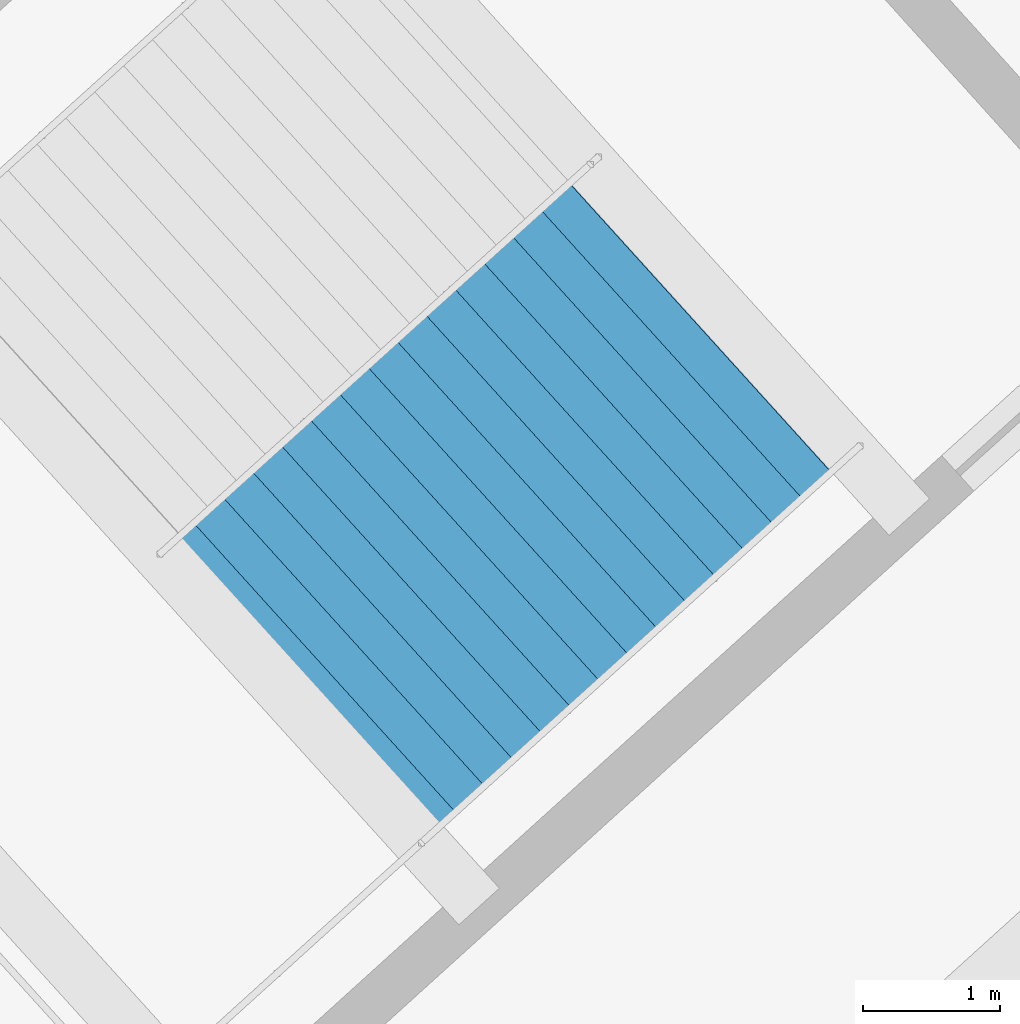
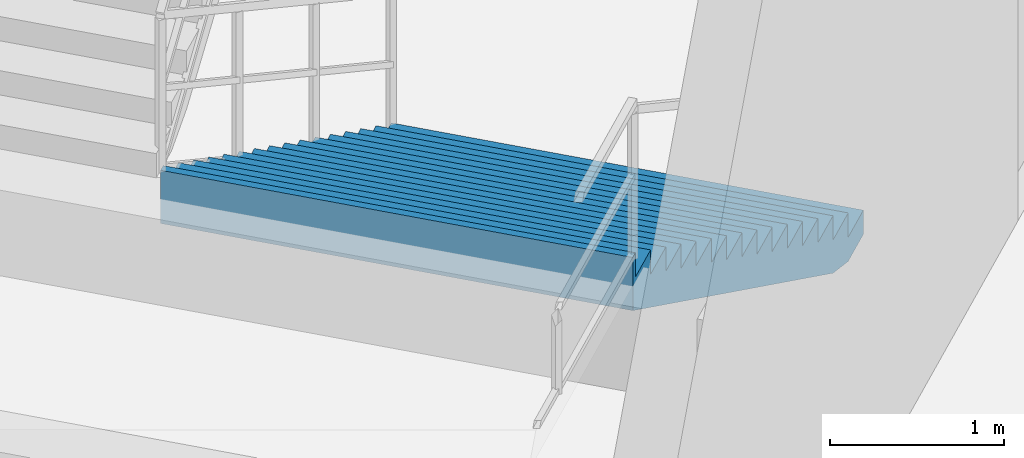
# One storey, part 36 of 49: 1 stair flight, 1 element without a shape of its own.
"""IFC4 building model written with IfcOpenShell, lengths in metres."""

from ifc_helpers import new_model, si_unit, direction, frame, origin, place, context, subcontext, project, spatial, polygons, material, type_object, element, aggregate, save


model = new_model("IFC4")

# Units and contexts
model_context = context("Model", 3, precision=1e-05, world=origin(), true_north=direction((0.0, 1.0)))
body_context = subcontext(model_context, "Body", "Model", "MODEL_VIEW")
ifc_project = project(units=[si_unit("LENGTHUNIT", "METRE"), si_unit("AREAUNIT", "SQUARE_METRE"), si_unit("VOLUMEUNIT", "CUBIC_METRE"), si_unit("PLANEANGLEUNIT", "RADIAN"), si_unit("MASSUNIT", "GRAM", prefix="KILO")], contexts=[model_context])

# Site, building, storey
site_placement = place(None, origin())
site = spatial("IfcSite", under=ifc_project, at=site_placement, CompositionType="ELEMENT")
building_placement = place(site_placement, origin())
building = spatial("IfcBuilding", under=site, at=building_placement, Name="Kazemori Nagisa Stadium", CompositionType="ELEMENT")
storey_placement = place(building_placement, frame((0.0, 0.0, -5.43994140625)))
storey = spatial("IfcBuildingStorey", under=building, at=storey_placement, Name="B1", CompositionType="ELEMENT", Elevation=-5.43994140625)

# Stair, stair flight
ifc_material = material(Name="Concrete C36/45 (Fc36)", Category="concrete")
stair_type = type_object("IfcStairType", Name="Stair_CORE_32", PredefinedType="TWO_STRAIGHT_RUN_STAIR", material=ifc_material)
stair_placement = place(storey_placement, origin())
stair = element("IfcStair", 1, at=stair_placement, inside=storey, type_object=stair_type, Name="Exit stair ST02 B1", PredefinedType="TWO_STRAIGHT_RUN_STAIR")
stair_flight_type = type_object("IfcStairFlightType", Name="Flight_CORE_16", PredefinedType="STRAIGHT", material=ifc_material)
stair_flight_placement = place(storey_placement, frame((63.22412109375, 164.589599609375, 0.0), z_axis=(0.0, 0.0, 1.0), x_axis=(-0.741328742395, -0.671142083093, 0.0)))
stair_flight = element("IfcStairFlight", 2, at=stair_flight_placement, type_object=stair_flight_type, Name="Exit stair ST02 B1 flight 1", NumberOfRisers=16, NumberOfTreads=15, PredefinedType="STRAIGHT", RiserHeight=0.17, TreadLength=0.285, context=body_context, shape_type="Tessellation", body=[
    polygons([(0.0, -1.425048828125, 0.0), (0.0, -1.425048828125, 0.169921875), (0.284912109375, -1.425048828125, 0.169921875), (0.284912109375, -1.425048828125, 0.340087890625), (0.570068359375, -1.425048828125, 0.340087890625), (0.570068359375, -1.425048828125, 0.510009765625), (0.85498046875, -1.425048828125, 0.510009765625), (0.85498046875, -1.425048828125, 0.679931640625), (1.139892578125, -1.425048828125, 0.679931640625), (1.139892578125, -1.425048828125, 0.85009765625), (1.425048828125, -1.425048828125, 0.85009765625), (1.425048828125, -1.425048828125, 1.02001953125), (1.7099609375, -1.425048828125, 1.02001953125), (1.7099609375, -1.425048828125, 1.18994140625), (1.9951171875, -1.425048828125, 1.18994140625), (1.9951171875, -1.425048828125, 1.360107421875), (2.280029296875, -1.425048828125, 1.360107421875), (2.280029296875, -1.425048828125, 1.530029296875), (2.56494140625, -1.425048828125, 1.530029296875), (2.56494140625, -1.425048828125, 1.699951171875), (2.85009765625, -1.425048828125, 1.699951171875), (2.85009765625, -1.425048828125, 1.8701171875), (3.135009765625, -1.425048828125, 1.8701171875), (3.135009765625, -1.425048828125, 2.0400390625), (3.419921875, -1.425048828125, 2.0400390625), (3.419921875, -1.425048828125, 2.2099609375), (3.705078125, -1.425048828125, 2.2099609375), (3.705078125, -1.425048828125, 2.3798828125), (3.989990234375, -1.425048828125, 2.3798828125), (3.989990234375, -1.425048828125, 2.550048828125), (4.27490234375, -1.425048828125, 2.550048828125), (4.27490234375, -1.425048828125, 2.719970703125), (4.324951171875, -1.425048828125, 2.719970703125), (4.324951171875, -1.425048828125, 2.346923828125), (4.27490234375, -1.425048828125, 2.317138671875), (3.989990234375, -1.425048828125, 2.147216796875), (3.705078125, -1.425048828125, 1.977294921875), (3.419921875, -1.425048828125, 1.80712890625), (3.135009765625, -1.425048828125, 1.63720703125), (2.85009765625, -1.425048828125, 1.46728515625), (2.56494140625, -1.425048828125, 1.297119140625), (2.280029296875, -1.425048828125, 1.127197265625), (1.9951171875, -1.425048828125, 0.957275390625), (1.7099609375, -1.425048828125, 0.787109375), (1.425048828125, -1.425048828125, 0.6171875), (1.139892578125, -1.425048828125, 0.447265625), (0.85498046875, -1.425048828125, 0.277099609375), (0.570068359375, -1.425048828125, 0.107177734375), (0.284912109375, -1.425048828125, 0.0), (0.0, -0.08544921875, 0.0), (0.0, -0.08544921875, 0.169921875), (0.284912109375, -0.08544921875, 0.169921875), (0.284912109375, -0.08544921875, 0.340087890625), (0.570068359375, -0.08544921875, 0.340087890625), (0.570068359375, -0.08544921875, 0.510009765625), (0.85498046875, -0.08544921875, 0.510009765625), (0.85498046875, -0.08544921875, 0.679931640625), (1.139892578125, -0.08544921875, 0.679931640625), (1.139892578125, -0.08544921875, 0.85009765625), (1.425048828125, -0.08544921875, 0.85009765625), (1.425048828125, -0.08544921875, 1.02001953125), (1.7099609375, -0.08544921875, 1.02001953125), (1.7099609375, -0.08544921875, 1.18994140625), (1.9951171875, -0.08544921875, 1.18994140625), (1.9951171875, -0.08544921875, 1.360107421875), (2.280029296875, -0.08544921875, 1.360107421875), (2.280029296875, -0.08544921875, 1.530029296875), (2.56494140625, -0.08544921875, 1.530029296875), (2.56494140625, -0.08544921875, 1.699951171875), (2.85009765625, -0.08544921875, 1.699951171875), (2.85009765625, -0.08544921875, 1.8701171875), (3.135009765625, -0.08544921875, 1.8701171875), (3.135009765625, -0.08544921875, 2.0400390625), (3.419921875, -0.08544921875, 2.0400390625), (3.419921875, -0.08544921875, 2.2099609375), (3.705078125, -0.08544921875, 2.2099609375), (3.705078125, -0.08544921875, 2.3798828125), (3.989990234375, -0.08544921875, 2.3798828125), (3.989990234375, -0.08544921875, 2.550048828125), (4.27490234375, -0.08544921875, 2.550048828125), (4.27490234375, -0.08544921875, 2.719970703125), (4.324951171875, -0.08544921875, 2.719970703125), (4.324951171875, -0.08544921875, 2.346923828125), (4.27490234375, -0.08544921875, 2.317138671875), (3.989990234375, -0.08544921875, 2.147216796875), (3.705078125, -0.08544921875, 1.977294921875), (3.419921875, -0.08544921875, 1.80712890625), (3.135009765625, -0.08544921875, 1.63720703125), (2.85009765625, -0.08544921875, 1.46728515625), (2.56494140625, -0.08544921875, 1.297119140625), (2.280029296875, -0.08544921875, 1.127197265625), (1.9951171875, -0.08544921875, 0.957275390625), (1.7099609375, -0.08544921875, 0.787109375), (1.425048828125, -0.08544921875, 0.6171875), (1.139892578125, -0.08544921875, 0.447265625), (0.85498046875, -0.08544921875, 0.277099609375), (0.570068359375, -0.08544921875, 0.107177734375), (0.284912109375, -0.08544921875, 0.0), (0.0, 0.0, 0.0), (0.0, 0.0, 0.169921875), (0.284912109375, 0.0, 0.169921875), (0.284912109375, 0.0, 0.340087890625), (0.570068359375, 0.0, 0.340087890625), (0.570068359375, 0.0, 0.510009765625), (0.85498046875, 0.0, 0.510009765625), (0.85498046875, 0.0, 0.679931640625), (1.139892578125, 0.0, 0.679931640625), (1.139892578125, 0.0, 0.85009765625), (1.425048828125, 0.0, 0.85009765625), (1.425048828125, 0.0, 1.02001953125), (1.7099609375, 0.0, 1.02001953125), (1.7099609375, 0.0, 1.18994140625), (1.9951171875, 0.0, 1.18994140625), (1.9951171875, 0.0, 1.360107421875), (2.280029296875, 0.0, 1.360107421875), (2.280029296875, 0.0, 1.530029296875), (2.56494140625, 0.0, 1.530029296875), (2.56494140625, 0.0, 1.699951171875), (2.85009765625, 0.0, 1.699951171875), (2.85009765625, 0.0, 1.8701171875), (3.135009765625, 0.0, 1.8701171875), (3.135009765625, 0.0, 2.0400390625), (3.419921875, 0.0, 2.0400390625), (3.419921875, 0.0, 2.2099609375), (3.705078125, 0.0, 2.2099609375), (3.705078125, 0.0, 2.3798828125), (3.989990234375, 0.0, 2.3798828125), (3.989990234375, 0.0, 2.550048828125), (4.27490234375, 0.0, 2.550048828125), (4.27490234375, 0.0, 2.719970703125), (4.324951171875, 0.0, 2.719970703125), (4.324951171875, 0.0, 2.346923828125), (4.27490234375, 0.0, 2.317138671875), (3.989990234375, 0.0, 2.147216796875), (3.705078125, 0.0, 1.977294921875), (3.419921875, 0.0, 1.80712890625), (3.135009765625, 0.0, 1.63720703125), (2.85009765625, 0.0, 1.46728515625), (2.56494140625, 0.0, 1.297119140625), (2.280029296875, 0.0, 1.127197265625), (1.9951171875, 0.0, 0.957275390625), (1.7099609375, 0.0, 0.787109375), (1.425048828125, 0.0, 0.6171875), (1.139892578125, 0.0, 0.447265625), (0.85498046875, 0.0, 0.277099609375), (0.570068359375, 0.0, 0.107177734375), (0.284912109375, 0.0, 0.0), (0.0, 0.08544921875, 0.0), (0.0, 0.08544921875, 0.169921875), (0.284912109375, 0.08544921875, 0.169921875), (0.284912109375, 0.08544921875, 0.340087890625), (0.570068359375, 0.08544921875, 0.340087890625), (0.570068359375, 0.08544921875, 0.510009765625), (0.85498046875, 0.08544921875, 0.510009765625), (0.85498046875, 0.08544921875, 0.679931640625), (1.139892578125, 0.08544921875, 0.679931640625), (1.139892578125, 0.08544921875, 0.85009765625), (1.425048828125, 0.08544921875, 0.85009765625), (1.425048828125, 0.08544921875, 1.02001953125), (1.7099609375, 0.08544921875, 1.02001953125), (1.7099609375, 0.08544921875, 1.18994140625), (1.9951171875, 0.08544921875, 1.18994140625), (1.9951171875, 0.08544921875, 1.360107421875), (2.280029296875, 0.08544921875, 1.360107421875), (2.280029296875, 0.08544921875, 1.530029296875), (2.56494140625, 0.08544921875, 1.530029296875), (2.56494140625, 0.08544921875, 1.699951171875), (2.85009765625, 0.08544921875, 1.699951171875), (2.85009765625, 0.08544921875, 1.8701171875), (3.135009765625, 0.08544921875, 1.8701171875), (3.135009765625, 0.08544921875, 2.0400390625), (3.419921875, 0.08544921875, 2.0400390625), (3.419921875, 0.08544921875, 2.2099609375), (3.705078125, 0.08544921875, 2.2099609375), (3.705078125, 0.08544921875, 2.3798828125), (3.989990234375, 0.08544921875, 2.3798828125), (3.989990234375, 0.08544921875, 2.550048828125), (4.27490234375, 0.08544921875, 2.550048828125), (4.27490234375, 0.08544921875, 2.719970703125), (4.324951171875, 0.08544921875, 2.719970703125), (4.324951171875, 0.08544921875, 2.346923828125), (4.27490234375, 0.08544921875, 2.317138671875), (3.989990234375, 0.08544921875, 2.147216796875), (3.705078125, 0.08544921875, 1.977294921875), (3.419921875, 0.08544921875, 1.80712890625), (3.135009765625, 0.08544921875, 1.63720703125), (2.85009765625, 0.08544921875, 1.46728515625), (2.56494140625, 0.08544921875, 1.297119140625), (2.280029296875, 0.08544921875, 1.127197265625), (1.9951171875, 0.08544921875, 0.957275390625), (1.7099609375, 0.08544921875, 0.787109375), (1.425048828125, 0.08544921875, 0.6171875), (1.139892578125, 0.08544921875, 0.447265625), (0.85498046875, 0.08544921875, 0.277099609375), (0.570068359375, 0.08544921875, 0.107177734375), (0.284912109375, 0.08544921875, 0.0), (0.0, 1.425048828125, 0.0), (0.0, 1.425048828125, 0.169921875), (0.284912109375, 1.425048828125, 0.169921875), (0.284912109375, 1.425048828125, 0.340087890625), (0.570068359375, 1.425048828125, 0.340087890625), (0.570068359375, 1.425048828125, 0.510009765625), (0.85498046875, 1.425048828125, 0.510009765625), (0.85498046875, 1.425048828125, 0.679931640625), (1.139892578125, 1.425048828125, 0.679931640625), (1.139892578125, 1.425048828125, 0.85009765625), (1.425048828125, 1.425048828125, 0.85009765625), (1.425048828125, 1.425048828125, 1.02001953125), (1.7099609375, 1.425048828125, 1.02001953125), (1.7099609375, 1.425048828125, 1.18994140625), (1.9951171875, 1.425048828125, 1.18994140625), (1.9951171875, 1.425048828125, 1.360107421875), (2.280029296875, 1.425048828125, 1.360107421875), (2.280029296875, 1.425048828125, 1.530029296875), (2.56494140625, 1.425048828125, 1.530029296875), (2.56494140625, 1.425048828125, 1.699951171875), (2.85009765625, 1.425048828125, 1.699951171875), (2.85009765625, 1.425048828125, 1.8701171875), (3.135009765625, 1.425048828125, 1.8701171875), (3.135009765625, 1.425048828125, 2.0400390625), (3.419921875, 1.425048828125, 2.0400390625), (3.419921875, 1.425048828125, 2.2099609375), (3.705078125, 1.425048828125, 2.2099609375), (3.705078125, 1.425048828125, 2.3798828125), (3.989990234375, 1.425048828125, 2.3798828125), (3.989990234375, 1.425048828125, 2.550048828125), (4.27490234375, 1.425048828125, 2.550048828125), (4.27490234375, 1.425048828125, 2.719970703125), (4.324951171875, 1.425048828125, 2.719970703125), (4.324951171875, 1.425048828125, 2.346923828125), (4.27490234375, 1.425048828125, 2.317138671875), (3.989990234375, 1.425048828125, 2.147216796875), (3.705078125, 1.425048828125, 1.977294921875), (3.419921875, 1.425048828125, 1.80712890625), (3.135009765625, 1.425048828125, 1.63720703125), (2.85009765625, 1.425048828125, 1.46728515625), (2.56494140625, 1.425048828125, 1.297119140625), (2.280029296875, 1.425048828125, 1.127197265625), (1.9951171875, 1.425048828125, 0.957275390625), (1.7099609375, 1.425048828125, 0.787109375), (1.425048828125, 1.425048828125, 0.6171875), (1.139892578125, 1.425048828125, 0.447265625), (0.85498046875, 1.425048828125, 0.277099609375), (0.570068359375, 1.425048828125, 0.107177734375), (0.284912109375, 1.425048828125, 0.0)], [[[1, 2, 51]], [[1, 51, 50]], [[2, 3, 52]], [[2, 52, 51]], [[3, 4, 53]], [[3, 53, 52]], [[4, 5, 54]], [[4, 54, 53]], [[5, 6, 55]], [[5, 55, 54]], [[6, 7, 56]], [[6, 56, 55]], [[7, 8, 57]], [[7, 57, 56]], [[8, 9, 58]], [[8, 58, 57]], [[9, 10, 59]], [[9, 59, 58]], [[10, 11, 60]], [[10, 60, 59]], [[11, 12, 61]], [[11, 61, 60]], [[12, 13, 62]], [[12, 62, 61]], [[13, 14, 63]], [[13, 63, 62]], [[14, 15, 64]], [[14, 64, 63]], [[15, 16, 65]], [[15, 65, 64]], [[16, 17, 66]], [[16, 66, 65]], [[17, 18, 67]], [[17, 67, 66]], [[18, 19, 68]], [[18, 68, 67]], [[19, 20, 69]], [[19, 69, 68]], [[20, 21, 70]], [[20, 70, 69]], [[21, 22, 71]], [[21, 71, 70]], [[22, 23, 72]], [[22, 72, 71]], [[23, 24, 73]], [[23, 73, 72]], [[24, 25, 74]], [[24, 74, 73]], [[25, 26, 75]], [[25, 75, 74]], [[26, 27, 76]], [[26, 76, 75]], [[27, 28, 77]], [[27, 77, 76]], [[28, 29, 78]], [[28, 78, 77]], [[29, 30, 79]], [[29, 79, 78]], [[30, 31, 80]], [[30, 80, 79]], [[31, 32, 81]], [[31, 81, 80]], [[32, 33, 82]], [[32, 82, 81]], [[33, 34, 83]], [[33, 83, 82]], [[34, 35, 84]], [[34, 84, 83]], [[35, 36, 85]], [[35, 85, 84]], [[36, 37, 86]], [[36, 86, 85]], [[37, 38, 87]], [[37, 87, 86]], [[38, 39, 88]], [[38, 88, 87]], [[39, 40, 89]], [[39, 89, 88]], [[40, 41, 90]], [[40, 90, 89]], [[41, 42, 91]], [[41, 91, 90]], [[42, 43, 92]], [[42, 92, 91]], [[43, 44, 93]], [[43, 93, 92]], [[44, 45, 94]], [[44, 94, 93]], [[45, 46, 95]], [[45, 95, 94]], [[46, 47, 96]], [[46, 96, 95]], [[47, 48, 97]], [[47, 97, 96]], [[48, 49, 98]], [[48, 98, 97]], [[49, 1, 50]], [[49, 50, 98]], [[50, 51, 100]], [[50, 100, 99]], [[51, 52, 101]], [[51, 101, 100]], [[52, 53, 102]], [[52, 102, 101]], [[53, 54, 103]], [[53, 103, 102]], [[54, 55, 104]], [[54, 104, 103]], [[55, 56, 105]], [[55, 105, 104]], [[56, 57, 106]], [[56, 106, 105]], [[57, 58, 107]], [[57, 107, 106]], [[58, 59, 108]], [[58, 108, 107]], [[59, 60, 109]], [[59, 109, 108]], [[60, 61, 110]], [[60, 110, 109]], [[61, 62, 111]], [[61, 111, 110]], [[62, 63, 112]], [[62, 112, 111]], [[63, 64, 113]], [[63, 113, 112]], [[64, 65, 114]], [[64, 114, 113]], [[65, 66, 115]], [[65, 115, 114]], [[66, 67, 116]], [[66, 116, 115]], [[67, 68, 117]], [[67, 117, 116]], [[68, 69, 118]], [[68, 118, 117]], [[69, 70, 119]], [[69, 119, 118]], [[70, 71, 120]], [[70, 120, 119]], [[71, 72, 121]], [[71, 121, 120]], [[72, 73, 122]], [[72, 122, 121]], [[73, 74, 123]], [[73, 123, 122]], [[74, 75, 124]], [[74, 124, 123]], [[75, 76, 125]], [[75, 125, 124]], [[76, 77, 126]], [[76, 126, 125]], [[77, 78, 127]], [[77, 127, 126]], [[78, 79, 128]], [[78, 128, 127]], [[79, 80, 129]], [[79, 129, 128]], [[80, 81, 130]], [[80, 130, 129]], [[81, 82, 131]], [[81, 131, 130]], [[82, 83, 132]], [[82, 132, 131]], [[83, 84, 133]], [[83, 133, 132]], [[84, 85, 134]], [[84, 134, 133]], [[85, 86, 135]], [[85, 135, 134]], [[86, 87, 136]], [[86, 136, 135]], [[87, 88, 137]], [[87, 137, 136]], [[88, 89, 138]], [[88, 138, 137]], [[89, 90, 139]], [[89, 139, 138]], [[90, 91, 140]], [[90, 140, 139]], [[91, 92, 141]], [[91, 141, 140]], [[92, 93, 142]], [[92, 142, 141]], [[93, 94, 143]], [[93, 143, 142]], [[94, 95, 144]], [[94, 144, 143]], [[95, 96, 145]], [[95, 145, 144]], [[96, 97, 146]], [[96, 146, 145]], [[97, 98, 147]], [[97, 147, 146]], [[98, 50, 99]], [[98, 99, 147]], [[99, 100, 149]], [[99, 149, 148]], [[100, 101, 150]], [[100, 150, 149]], [[101, 102, 151]], [[101, 151, 150]], [[102, 103, 152]], [[102, 152, 151]], [[103, 104, 153]], [[103, 153, 152]], [[104, 105, 154]], [[104, 154, 153]], [[105, 106, 155]], [[105, 155, 154]], [[106, 107, 156]], [[106, 156, 155]], [[107, 108, 157]], [[107, 157, 156]], [[108, 109, 158]], [[108, 158, 157]], [[109, 110, 159]], [[109, 159, 158]], [[110, 111, 160]], [[110, 160, 159]], [[111, 112, 161]], [[111, 161, 160]], [[112, 113, 162]], [[112, 162, 161]], [[113, 114, 163]], [[113, 163, 162]], [[114, 115, 164]], [[114, 164, 163]], [[115, 116, 165]], [[115, 165, 164]], [[116, 117, 166]], [[116, 166, 165]], [[117, 118, 167]], [[117, 167, 166]], [[118, 119, 168]], [[118, 168, 167]], [[119, 120, 169]], [[119, 169, 168]], [[120, 121, 170]], [[120, 170, 169]], [[121, 122, 171]], [[121, 171, 170]], [[122, 123, 172]], [[122, 172, 171]], [[123, 124, 173]], [[123, 173, 172]], [[124, 125, 174]], [[124, 174, 173]], [[125, 126, 175]], [[125, 175, 174]], [[126, 127, 176]], [[126, 176, 175]], [[127, 128, 177]], [[127, 177, 176]], [[128, 129, 178]], [[128, 178, 177]], [[129, 130, 179]], [[129, 179, 178]], [[130, 131, 180]], [[130, 180, 179]], [[131, 132, 181]], [[131, 181, 180]], [[132, 133, 182]], [[132, 182, 181]], [[133, 134, 183]], [[133, 183, 182]], [[134, 135, 184]], [[134, 184, 183]], [[135, 136, 185]], [[135, 185, 184]], [[136, 137, 186]], [[136, 186, 185]], [[137, 138, 187]], [[137, 187, 186]], [[138, 139, 188]], [[138, 188, 187]], [[139, 140, 189]], [[139, 189, 188]], [[140, 141, 190]], [[140, 190, 189]], [[141, 142, 191]], [[141, 191, 190]], [[142, 143, 192]], [[142, 192, 191]], [[143, 144, 193]], [[143, 193, 192]], [[144, 145, 194]], [[144, 194, 193]], [[145, 146, 195]], [[145, 195, 194]], [[146, 147, 196]], [[146, 196, 195]], [[147, 99, 148]], [[147, 148, 196]], [[148, 149, 198]], [[148, 198, 197]], [[149, 150, 199]], [[149, 199, 198]], [[150, 151, 200]], [[150, 200, 199]], [[151, 152, 201]], [[151, 201, 200]], [[152, 153, 202]], [[152, 202, 201]], [[153, 154, 203]], [[153, 203, 202]], [[154, 155, 204]], [[154, 204, 203]], [[155, 156, 205]], [[155, 205, 204]], [[156, 157, 206]], [[156, 206, 205]], [[157, 158, 207]], [[157, 207, 206]], [[158, 159, 208]], [[158, 208, 207]], [[159, 160, 209]], [[159, 209, 208]], [[160, 161, 210]], [[160, 210, 209]], [[161, 162, 211]], [[161, 211, 210]], [[162, 163, 212]], [[162, 212, 211]], [[163, 164, 213]], [[163, 213, 212]], [[164, 165, 214]], [[164, 214, 213]], [[165, 166, 215]], [[165, 215, 214]], [[166, 167, 216]], [[166, 216, 215]], [[167, 168, 217]], [[167, 217, 216]], [[168, 169, 218]], [[168, 218, 217]], [[169, 170, 219]], [[169, 219, 218]], [[170, 171, 220]], [[170, 220, 219]], [[171, 172, 221]], [[171, 221, 220]], [[172, 173, 222]], [[172, 222, 221]], [[173, 174, 223]], [[173, 223, 222]], [[174, 175, 224]], [[174, 224, 223]], [[175, 176, 225]], [[175, 225, 224]], [[176, 177, 226]], [[176, 226, 225]], [[177, 178, 227]], [[177, 227, 226]], [[178, 179, 228]], [[178, 228, 227]], [[179, 180, 229]], [[179, 229, 228]], [[180, 181, 230]], [[180, 230, 229]], [[181, 182, 231]], [[181, 231, 230]], [[182, 183, 232]], [[182, 232, 231]], [[183, 184, 233]], [[183, 233, 232]], [[184, 185, 234]], [[184, 234, 233]], [[185, 186, 235]], [[185, 235, 234]], [[186, 187, 236]], [[186, 236, 235]], [[187, 188, 237]], [[187, 237, 236]], [[188, 189, 238]], [[188, 238, 237]], [[189, 190, 239]], [[189, 239, 238]], [[190, 191, 240]], [[190, 240, 239]], [[191, 192, 241]], [[191, 241, 240]], [[192, 193, 242]], [[192, 242, 241]], [[193, 194, 243]], [[193, 243, 242]], [[194, 195, 244]], [[194, 244, 243]], [[195, 196, 245]], [[195, 245, 244]], [[196, 148, 197]], [[196, 197, 245]], [[3, 2, 1]], [[197, 198, 199]], [[49, 3, 1]], [[197, 199, 245]], [[48, 3, 49]], [[245, 199, 244]], [[5, 3, 48]], [[244, 199, 201]], [[5, 4, 3]], [[199, 200, 201]], [[47, 5, 48]], [[244, 201, 243]], [[7, 5, 47]], [[243, 201, 203]], [[7, 6, 5]], [[201, 202, 203]], [[46, 7, 47]], [[243, 203, 242]], [[9, 7, 46]], [[242, 203, 205]], [[9, 8, 7]], [[203, 204, 205]], [[45, 9, 46]], [[242, 205, 241]], [[11, 9, 45]], [[241, 205, 207]], [[11, 10, 9]], [[205, 206, 207]], [[44, 11, 45]], [[241, 207, 240]], [[13, 11, 44]], [[240, 207, 209]], [[13, 12, 11]], [[207, 208, 209]], [[43, 13, 44]], [[240, 209, 239]], [[15, 13, 43]], [[239, 209, 211]], [[15, 14, 13]], [[209, 210, 211]], [[42, 15, 43]], [[239, 211, 238]], [[17, 15, 42]], [[238, 211, 213]], [[17, 16, 15]], [[211, 212, 213]], [[41, 17, 42]], [[238, 213, 237]], [[19, 17, 41]], [[237, 213, 215]], [[19, 18, 17]], [[213, 214, 215]], [[40, 19, 41]], [[237, 215, 236]], [[21, 19, 40]], [[236, 215, 217]], [[21, 20, 19]], [[215, 216, 217]], [[39, 21, 40]], [[236, 217, 235]], [[23, 21, 39]], [[235, 217, 219]], [[23, 22, 21]], [[217, 218, 219]], [[38, 23, 39]], [[235, 219, 234]], [[25, 23, 38]], [[234, 219, 221]], [[25, 24, 23]], [[219, 220, 221]], [[37, 25, 38]], [[234, 221, 233]], [[27, 25, 37]], [[233, 221, 223]], [[27, 26, 25]], [[221, 222, 223]], [[36, 27, 37]], [[233, 223, 232]], [[29, 27, 36]], [[232, 223, 225]], [[29, 28, 27]], [[223, 224, 225]], [[35, 29, 36]], [[232, 225, 231]], [[31, 29, 35]], [[231, 225, 227]], [[31, 30, 29]], [[225, 226, 227]], [[34, 31, 35]], [[231, 227, 230]], [[33, 31, 34]], [[230, 227, 229]], [[33, 32, 31]], [[227, 228, 229]]], closed=True),
])
aggregate(stair, [stair_flight])

save(model, "model.ifc")
